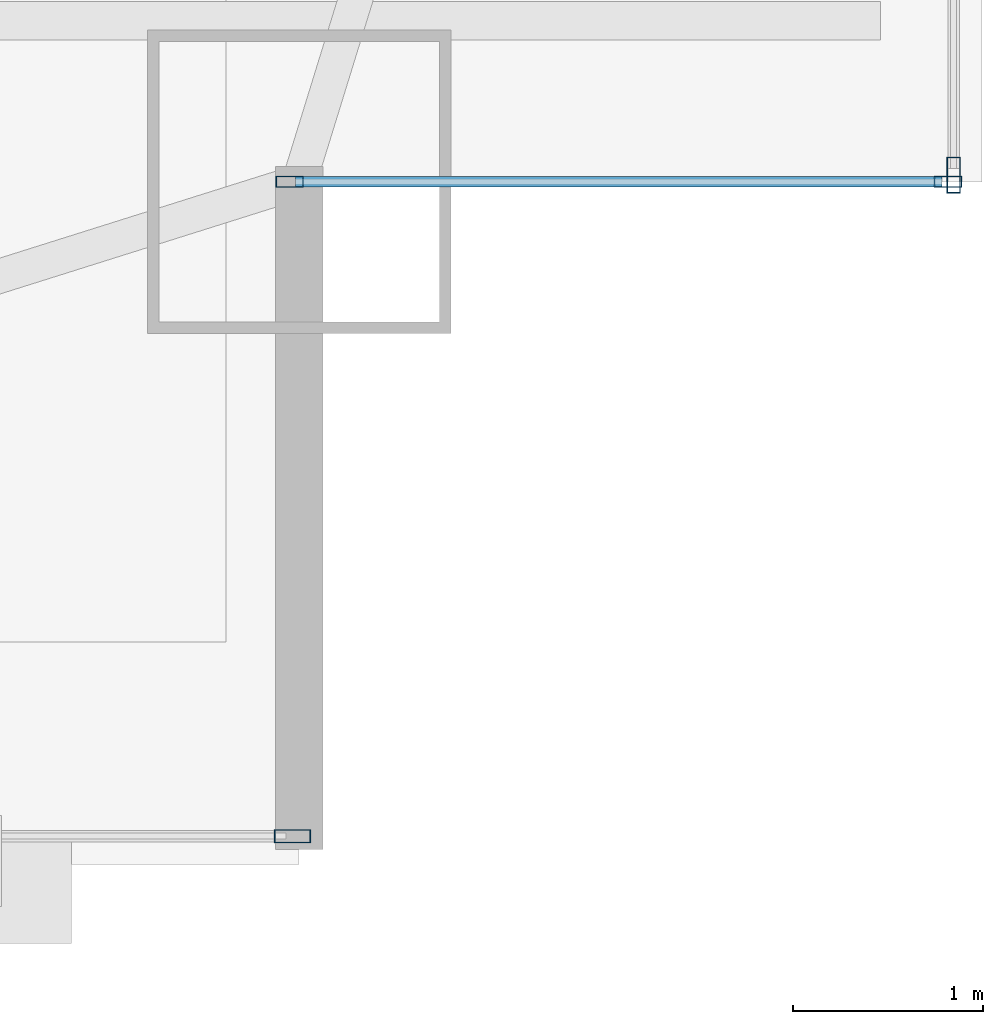
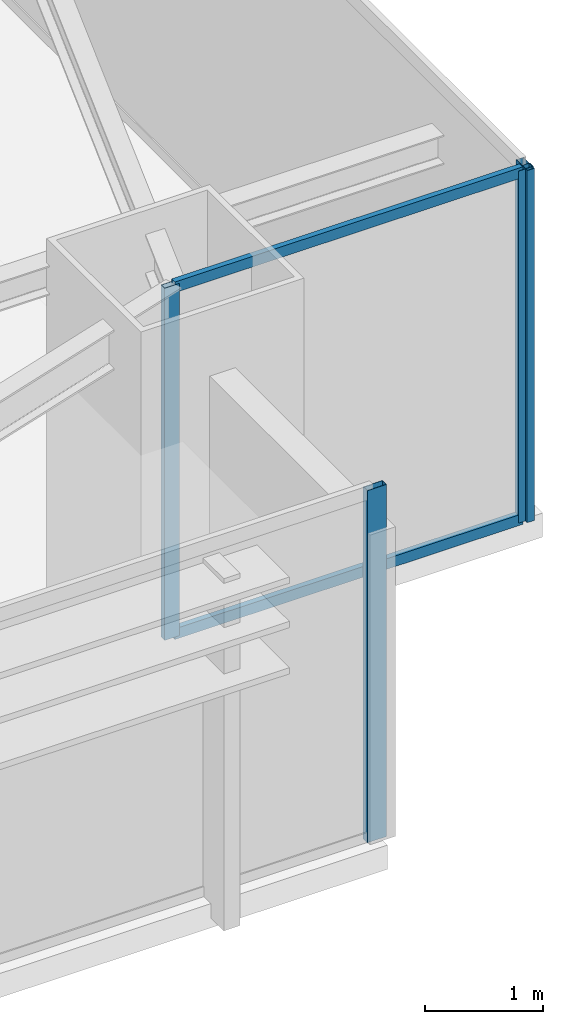
# One storey, part 14 of 31: 6 members, 3 elements without a shape of their own.
"""IFC4 building model written with IfcOpenShell, lengths in metres."""

from ifc_helpers import new_model, si_unit, direction, frame, origin, origin_2d, place, context, subcontext, project, spatial, hollow_rectangle, extrude, source, transform, mapped, material, layer, layer_set, material_profile, profile_set, type_object, type_shapes, element, aggregate, save


model = new_model("IFC4")

# Units and contexts
model_context = context("Model", 3, precision=1e-05, world=origin(), true_north=direction((0.0, 1.0)))
body_context = subcontext(model_context, "Body", "Model", "MODEL_VIEW")
ifc_project = project(units=[si_unit("LENGTHUNIT", "METRE"), si_unit("AREAUNIT", "SQUARE_METRE"), si_unit("VOLUMEUNIT", "CUBIC_METRE"), si_unit("PLANEANGLEUNIT", "RADIAN"), si_unit("MASSUNIT", "GRAM", prefix="KILO")], contexts=[model_context])

# Site, building, storey
site_placement = place(None, origin())
site = spatial("IfcSite", under=ifc_project, at=site_placement, CompositionType="ELEMENT")
building_placement = place(site_placement, origin())
building = spatial("IfcBuilding", under=site, at=building_placement, Name="Varnel Quay Broadcast Tower", CompositionType="ELEMENT")
storey_placement = place(building_placement, frame((0.0, 0.0, 51.0)))
storey = spatial("IfcBuildingStorey", under=building, at=storey_placement, Name="L11", CompositionType="ELEMENT", Elevation=51.0)

# Curtain wall, member
ifc_material = material(Name="Anodised Bronze Aluminium 6063-T6", Category="aluminium")
ifc_layer_1 = layer(ifc_material, 0.18994140625, Name="Anodised Bronze Aluminium 6063-T6")
ifc_layer_set_1 = layer_set([ifc_layer_1], Name="Anodised Bronze Aluminium 6063-T6")
curtain_wall_type_1 = type_object("IfcCurtainWallType", Name="CW_LowerTower", PredefinedType="NOTDEFINED", material=ifc_layer_set_1)
curtain_wall_1_placement = place(storey_placement, origin())
curtain_wall_1 = element("IfcCurtainWall", 1, at=curtain_wall_1_placement, inside=storey, type_object=curtain_wall_type_1, Name="L11 South Unitised Curtain Wall 3", PredefinedType="NOTDEFINED")
ifc_material_profile_1 = material_profile(ifc_material, hollow_rectangle(XDim=0.070068359375, YDim=0.18994140625, WallThickness=0.00390625, at=origin_2d()), Name="ALU70X190X4")
ifc_profile_set_1 = profile_set([ifc_material_profile_1], Name="Anodised Bronze Aluminium 6063-T6")
member_type_1 = type_object("IfcMemberType", Name="Mull_CWS-02", PredefinedType="MULLION", material=ifc_profile_set_1)
shared_shape_1 = source(origin(), body_context, "Body", "SweptSolid", [
    extrude(hollow_rectangle(XDim=0.070068359375, YDim=0.18994140625, WallThickness=0.00390625, at=origin_2d()), origin(), (0.0, 0.0, 1.0), 3.64990234375),
])
type_shapes(member_type_1, [shared_shape_1])
member_1_placement = place(storey_placement, frame((62.364990234375, 1.35009765625, 0.0), z_axis=(0.0, 0.0, 1.0), x_axis=(0.0, 1.0, 0.0)))
member_1 = element("IfcMember", 2, at=member_1_placement, type_object=member_type_1, Name="CWS-02 mullion 2", PredefinedType="MULLION", context=body_context, shape_type="MappedRepresentation", body=[
    mapped(shared_shape_1, transform((0.0, 0.0, 0.0), x_axis=(1.0, 0.0, 0.0), y_axis=(0.0, 1.0, 0.0), z_axis=(0.0, 0.0, 1.0), scale=1.0)),
])
aggregate(curtain_wall_1, [member_1])

curtain_wall_2_placement = place(storey_placement, origin())
curtain_wall_2 = element("IfcCurtainWall", 3, at=curtain_wall_2_placement, inside=storey, type_object=curtain_wall_type_1, Name="L11 East Unitised Curtain Wall", PredefinedType="NOTDEFINED")
member_2_placement = place(storey_placement, frame((65.85009765625, 4.8349609375, 0.0), z_axis=(0.0, 0.0, 1.0), x_axis=(-1.0, 0.0, 0.0)))
member_2 = element("IfcMember", 4, at=member_2_placement, type_object=member_type_1, Name="CWS-02 mullion 1", PredefinedType="MULLION", context=body_context, shape_type="MappedRepresentation", body=[
    mapped(shared_shape_1, transform((0.0, 0.0, 0.0), x_axis=(1.0, 0.0, 0.0), y_axis=(0.0, 1.0, 0.0), z_axis=(0.0, 0.0, 1.0), scale=1.0)),
])
aggregate(curtain_wall_2, [member_2])

# Curtain wall, members
ifc_layer_2 = layer(ifc_material, 0.18994140625, Name="Anodised Bronze Aluminium 6063-T6")
ifc_layer_set_2 = layer_set([ifc_layer_2], Name="Anodised Bronze Aluminium 6063-T6")
curtain_wall_type_2 = type_object("IfcCurtainWallType", Name="CW_NotchCorner", PredefinedType="NOTDEFINED", material=ifc_layer_set_2)
curtain_wall_3_placement = place(storey_placement, origin())
curtain_wall_3 = element("IfcCurtainWall", 5, at=curtain_wall_3_placement, inside=storey, type_object=curtain_wall_type_2, Name="L11 SE Notch Curtain Wall", PredefinedType="NOTDEFINED")
ifc_material_profile_2 = material_profile(ifc_material, hollow_rectangle(XDim=0.06005859375, YDim=0.14501953125, WallThickness=0.00341796875, at=origin_2d()), Name="ALU60X145X3.5")
ifc_profile_set_2 = profile_set([ifc_material_profile_2], Name="Anodised Bronze Aluminium 6063-T6")
member_type_2 = type_object("IfcMemberType", Name="Mull_CWS-04", PredefinedType="MULLION", material=ifc_profile_set_2)
shared_shape_2 = source(origin(), body_context, "Body", "SweptSolid", [
    extrude(hollow_rectangle(XDim=0.06005859375, YDim=0.14501953125, WallThickness=0.00341796875, at=origin_2d()), origin(), (0.0, 0.0, 1.0), 3.64990234375),
])
type_shapes(member_type_2, [shared_shape_2])
member_3_placement = place(storey_placement, frame((62.35009765625, 4.800048828125, 0.0), z_axis=(0.0, 0.0, 1.0), x_axis=(0.0, 1.0, 0.0)))
member_3 = element("IfcMember", 6, at=member_3_placement, type_object=member_type_2, Name="CWS-04 mullion 1", PredefinedType="MULLION", context=body_context, shape_type="MappedRepresentation", body=[
    mapped(shared_shape_2, transform((0.0, 0.0, 0.0), x_axis=(1.0, 0.0, 0.0), y_axis=(0.0, 1.0, 0.0), z_axis=(0.0, 0.0, 1.0), scale=1.0)),
])
member_4_placement = place(storey_placement, frame((65.820068359375, 4.800048828125, 0.0), z_axis=(0.0, 0.0, 1.0), x_axis=(0.0, 1.0, 0.0)))
member_4 = element("IfcMember", 7, at=member_4_placement, type_object=member_type_2, Name="CWS-04 mullion 2", PredefinedType="MULLION", context=body_context, shape_type="MappedRepresentation", body=[
    mapped(shared_shape_2, transform((0.0, 0.0, 0.0), x_axis=(1.0, 0.0, 0.0), y_axis=(0.0, 1.0, 0.0), z_axis=(0.0, 0.0, 1.0), scale=1.0)),
])
ifc_material_profile_3 = material_profile(ifc_material, hollow_rectangle(XDim=0.054931640625, YDim=0.110107421875, WallThickness=0.0029296875, at=origin_2d()), Name="ALU55X110X3")
ifc_profile_set_3 = profile_set([ifc_material_profile_3], Name="Anodised Bronze Aluminium 6063-T6")
member_type_3 = type_object("IfcMemberType", Name="Tran_CWS-04", PredefinedType="USERDEFINED", material=ifc_profile_set_3)
shared_shape_3 = source(origin(), body_context, "Body", "SweptSolid", [
    extrude(hollow_rectangle(XDim=0.054931640625, YDim=0.110107421875, WallThickness=0.0029296875, at=origin_2d()), origin(), (0.0, 0.0, 1.0), 3.41015625),
])
type_shapes(member_type_3, [shared_shape_3])
member_5_placement = place(storey_placement, frame((62.3798828125, 4.800048828125, 0.027587890625), z_axis=(1.0, 0.0, 0.0), x_axis=(0.0, 1.0, 0.0)))
member_5 = element("IfcMember", 8, at=member_5_placement, type_object=member_type_3, Name="CWS-04 transom 1.1", ObjectType="TRANSOM", PredefinedType="USERDEFINED", context=body_context, shape_type="MappedRepresentation", body=[
    mapped(shared_shape_3, transform((0.0, 0.0, 0.0), x_axis=(1.0, 0.0, 0.0), y_axis=(0.0, 1.0, 0.0), z_axis=(0.0, 0.0, 1.0), scale=1.0)),
])
member_6_placement = place(storey_placement, frame((62.3798828125, 4.800048828125, 3.62255859375), z_axis=(1.0, 0.0, 0.0), x_axis=(0.0, 1.0, 0.0)))
member_6 = element("IfcMember", 9, at=member_6_placement, type_object=member_type_3, Name="CWS-04 transom 1.2", ObjectType="TRANSOM", PredefinedType="USERDEFINED", context=body_context, shape_type="MappedRepresentation", body=[
    mapped(shared_shape_3, transform((0.0, 0.0, 0.0), x_axis=(1.0, 0.0, 0.0), y_axis=(0.0, 1.0, 0.0), z_axis=(0.0, 0.0, 1.0), scale=1.0)),
])
aggregate(curtain_wall_3, [member_3, member_4, member_5, member_6])

save(model, "model.ifc")
